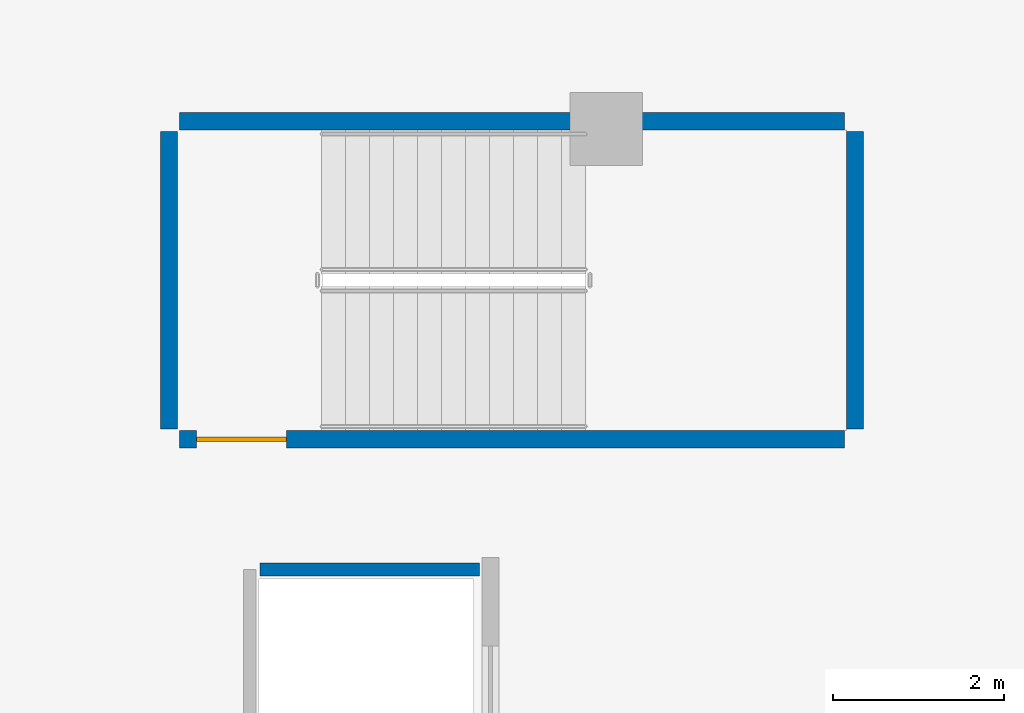
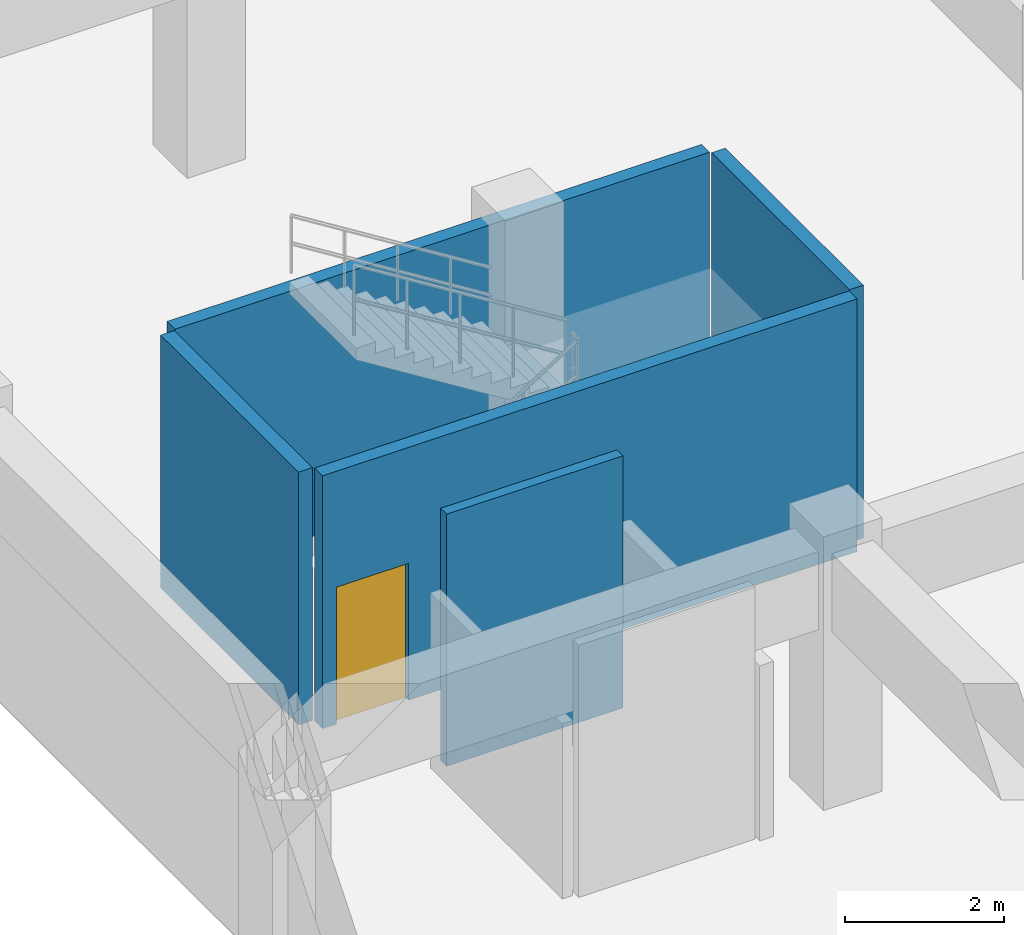
# One storey, part 13 of 20: 5 walls, 1 door, 1 opening.
"""IFC4 building model written with IfcOpenShell, lengths in metres."""

from ifc_helpers import new_model, si_unit, direction, frame, frame_2d, origin, place, context, subcontext, project, spatial, rectangle, extrude, material, layer, layer_set, type_object, element, fill, save


model = new_model("IFC4")

# Units and contexts
model_context = context("Model", 3, precision=1e-05, world=origin(), true_north=direction((0.0, 1.0)))
body_context = subcontext(model_context, "Body", "Model", "MODEL_VIEW")
ifc_project = project(units=[si_unit("LENGTHUNIT", "METRE"), si_unit("AREAUNIT", "SQUARE_METRE"), si_unit("VOLUMEUNIT", "CUBIC_METRE"), si_unit("PLANEANGLEUNIT", "RADIAN"), si_unit("MASSUNIT", "GRAM", prefix="KILO")], contexts=[model_context])

# Site, building, storey
site_placement = place(None, origin())
site = spatial("IfcSite", under=ifc_project, at=site_placement, CompositionType="ELEMENT")
building_placement = place(site_placement, origin())
building = spatial("IfcBuilding", under=site, at=building_placement, Name="Kelanora Arch Commons", CompositionType="ELEMENT")
storey_placement = place(building_placement, frame((0.0, 0.0, -4.199951171875)))
storey = spatial("IfcBuildingStorey", under=building, at=storey_placement, Name="B01", CompositionType="ELEMENT", Elevation=-4.199951171875)

# Wall
ifc_material_1 = material(Name="Autoclaved aerated concrete blockwork with fire plaster", Category="masonry")
ifc_layer_1 = layer(ifc_material_1, 0.14990234375)
ifc_layer_set_1 = layer_set([ifc_layer_1], Name="Autoclaved aerated concrete blockwork with fire plaster")
wall_type_1 = type_object("IfcWallType", Name="W-COMP-150", PredefinedType="PARTITIONING", material=ifc_layer_set_1)
wall_1_placement = place(storey_placement, frame((7.9599609375, 68.860107421875, 0.0), z_axis=(0.0, 0.0, 1.0), x_axis=(1.0, 0.0, 0.0)))
element("IfcWall", 1, at=wall_1_placement, inside=storey, type_object=wall_type_1, Name="Market West Lift Shaft North Wall B01", PredefinedType="PARTITIONING", context=body_context, shape_type="SweptSolid", body=[
    extrude(rectangle(XDim=2.56005859375, YDim=0.14990234375, at=frame_2d((1.280029296875, 0.0))), origin(), (0.0, 0.0, 1.0), 3.869873046875),
])

# Wall, opening, door
ifc_material_2 = material(Name="Concrete C40/50", Category="concrete")
ifc_layer_2 = layer(ifc_material_2, 0.199951171875)
ifc_layer_set_2 = layer_set([ifc_layer_2], Name="Concrete C40/50")
wall_type_2 = type_object("IfcWallType", Name="W-STAIR-200", PredefinedType="SHEAR", material=ifc_layer_set_2)
wall_2_placement = place(storey_placement, frame((7.02001953125, 70.3798828125, 0.0), z_axis=(0.0, 0.0, 1.0), x_axis=(1.0, 0.0, 0.0)))
wall_2 = element("IfcWall", 2, at=wall_2_placement, inside=storey, type_object=wall_type_2, Name="Stair ST-M3 Shaft Wall S B01", PredefinedType="SHEAR", context=body_context, shape_type="SweptSolid", body=[
    extrude(rectangle(XDim=7.760009765625, YDim=0.199951171875, at=frame_2d((3.8798828125, 0.0))), origin(), (0.0, 0.0, 1.0), 3.8798828125),
])
opening_placement = place(wall_2_placement, frame((0.199951171875, 0.0, 0.0)))
opening = element("IfcOpeningElement", 3, at=opening_placement, cuts=wall_2, Name="Opening D-ST1", PredefinedType="OPENING", context=body_context, shape_type="SweptSolid", body=[
    extrude(rectangle(XDim=1.050048828125, YDim=2.10009765625, at=frame_2d((0.52490234375, 1.050048828125))), frame((0.0, 0.10986328125, 0.0), z_axis=(0.0, -1.0, 0.0), x_axis=(1.0, 0.0, 0.0)), (0.0, 0.0, 1.0), 0.219970703125),
])
ifc_material_3 = material(Name="Steel fire-rated stairwell escape door", Category="steel")
door_type = type_object("IfcDoorType", Name="D-STAIR-110", OperationType="NOTDEFINED", PredefinedType="DOOR", material=ifc_material_3)
door_placement = place(opening_placement, origin())
door = element("IfcDoor", 4, at=door_placement, inside=storey, type_object=door_type, Name="Stair ST-M3 Escape Door B01", OperationType="SINGLE_SWING_LEFT", OverallHeight=2.10009765625, OverallWidth=1.050048828125, PredefinedType="DOOR", context=body_context, shape_type="SweptSolid", body=[
    extrude(rectangle(XDim=1.050048828125, YDim=2.10009765625, at=frame_2d((0.52490234375, 1.050048828125))), frame((0.0, 0.02490234375, 0.0), z_axis=(0.0, -1.0, 0.0), x_axis=(1.0, 0.0, 0.0)), (0.0, 0.0, 1.0), 0.050048828125),
])
fill(opening, door)

# Walls
wall_3_placement = place(storey_placement, frame((14.89990234375, 70.5, 0.0), z_axis=(0.0, 0.0, 1.0), x_axis=(0.0, 1.0, 0.0)))
element("IfcWall", 5, at=wall_3_placement, inside=storey, type_object=wall_type_2, Name="Stair ST-M3 Shaft Wall E B01", PredefinedType="SHEAR", context=body_context, shape_type="SweptSolid", body=[
    extrude(rectangle(XDim=3.469970703125, YDim=0.199951171875, at=frame_2d((1.73486328125, 0.0))), origin(), (0.0, 0.0, 1.0), 3.8798828125),
])
wall_4_placement = place(storey_placement, frame((14.780029296875, 74.090087890625, 0.0), z_axis=(0.0, 0.0, 1.0), x_axis=(-1.0, 0.0, 0.0)))
element("IfcWall", 6, at=wall_4_placement, inside=storey, type_object=wall_type_2, Name="Stair ST-M3 Shaft Wall N B01", PredefinedType="SHEAR", context=body_context, shape_type="SweptSolid", body=[
    extrude(rectangle(XDim=7.760009765625, YDim=0.199951171875, at=frame_2d((3.8798828125, 0.0))), origin(), (0.0, 0.0, 1.0), 3.8798828125),
])
wall_5_placement = place(storey_placement, frame((6.89990234375, 73.969970703125, 0.0), z_axis=(0.0, 0.0, 1.0), x_axis=(0.0, -1.0, 0.0)))
element("IfcWall", 7, at=wall_5_placement, inside=storey, type_object=wall_type_2, Name="Stair ST-M3 Shaft Wall W B01", PredefinedType="SHEAR", context=body_context, shape_type="SweptSolid", body=[
    extrude(rectangle(XDim=3.469970703125, YDim=0.199951171875, at=frame_2d((1.73486328125, 0.0))), origin(), (0.0, 0.0, 1.0), 3.8798828125),
])

save(model, "model.ifc")
